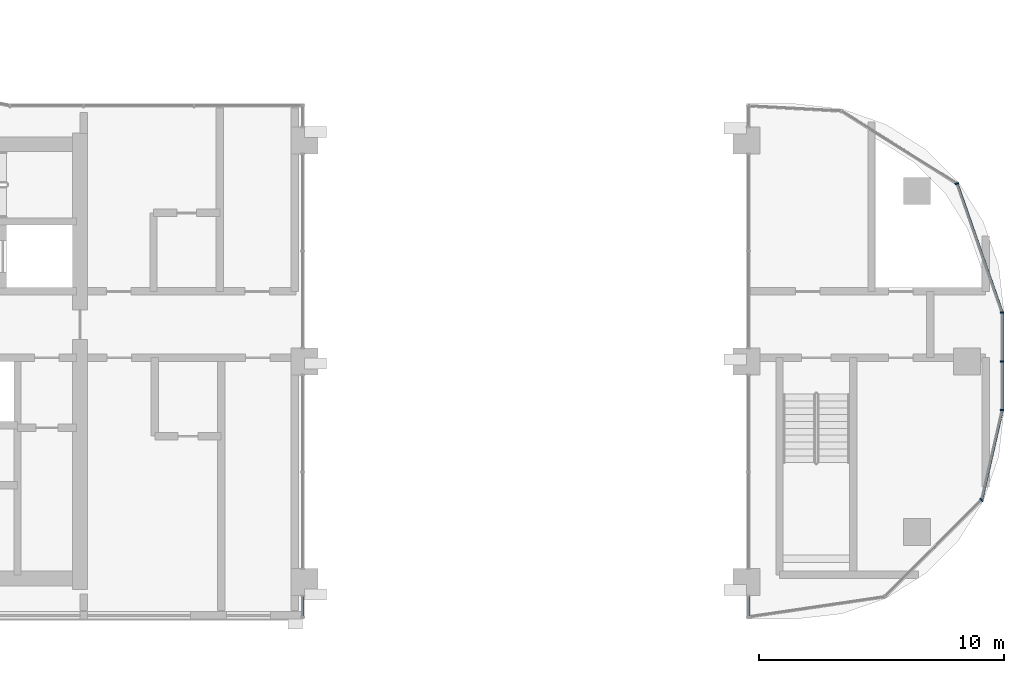
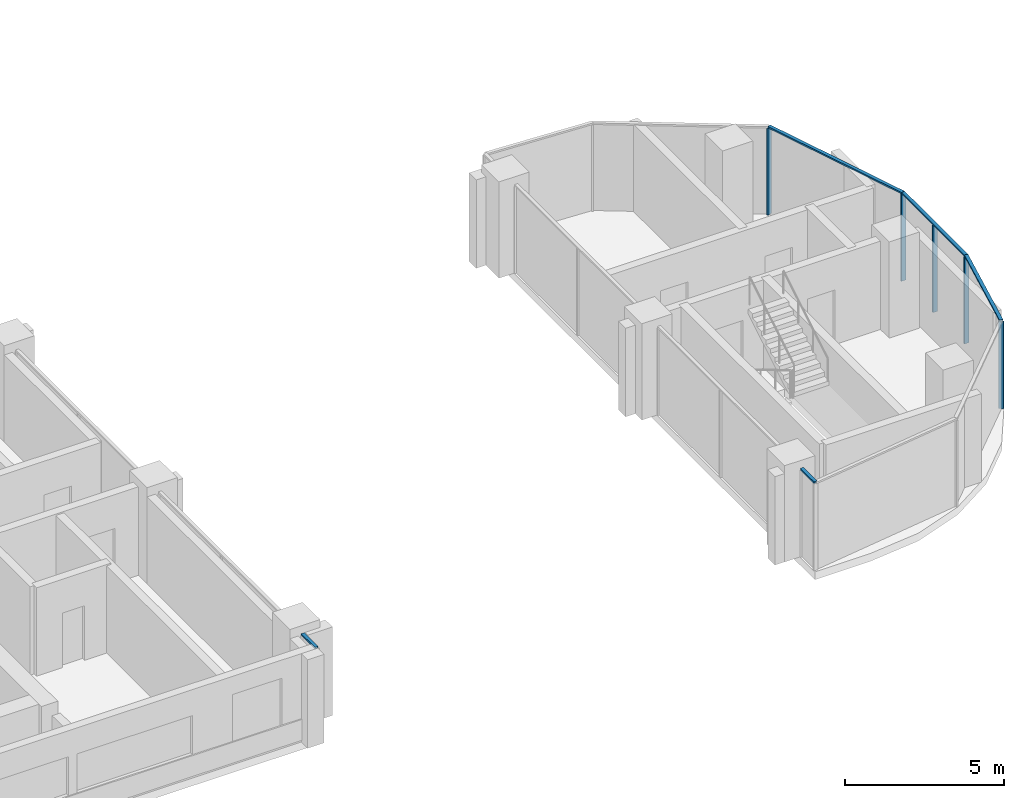
# One storey, part 6 of 23: 10 members, 5 elements without a shape of their own.
"""IFC4 building model written with IfcOpenShell, lengths in metres."""

import ifcopenshell
import ifcopenshell.guid

model = None  # the IFC model being written
_history = None  # IfcOwnerHistory: only IFC2X3 demands one
_inside = {}  # id of a spatial element -> (the spatial element, [elements in it])
_under = {}  # id of a project, library or spatial element -> (it, [spatial elements below it])
_declared = {}  # id of a project -> (the project, [libraries it declares])
_typed = {}  # id of a type object -> (the type object, [elements of that type])
_made_of = {}  # id of a material, layer set ... -> (it, [elements and type objects made of it])


def new_model(schema):
    """Start an empty IFC model of exactly this schema.

    Asked for "IFC4X3", IfcOpenShell would pick the latest addendum, in which some entities
    have other attributes; the version numbers below select the first issue.
    IFC2X3 requires an IfcOwnerHistory on every rooted entity: one is made here for all.
    """
    global model, _history
    if schema == "IFC4X3":
        model = ifcopenshell.file(schema_version=(4, 3, 0, 0))
    else:
        model = ifcopenshell.file(schema=schema)
    _inside.clear()
    _under.clear()
    _declared.clear()
    _typed.clear()
    _made_of.clear()
    _history = None
    if model.schema == "IFC2X3":
        org = make("IfcOrganization", Name="unknown")
        user = make(
            "IfcPersonAndOrganization",
            ThePerson=make("IfcPerson", FamilyName="unknown"),
            TheOrganization=org,
        )
        app = make(
            "IfcApplication",
            ApplicationDeveloper=org,
            Version="unknown",
            ApplicationFullName="unknown",
            ApplicationIdentifier="unknown",
        )
        _history = make(
            "IfcOwnerHistory",
            OwningUser=user,
            OwningApplication=app,
            ChangeAction="ADDED",
            CreationDate=0,
        )
    return model


def make(cls, **values):
    """One entity of the class cls with the attributes given. An attribute that is None is left unset."""
    return model.create_entity(
        cls, **{name: value for name, value in values.items() if value is not None}
    )


def rooted(cls, **values):
    """An entity with a GlobalId (a new one), such as an element, a storey or a relation."""
    return make(cls, GlobalId=ifcopenshell.guid.new(), OwnerHistory=_history, **values)


def si_unit(unit_type, name, prefix=None):
    """IfcSIUnit, for example si_unit("LENGTHUNIT", "METRE", prefix="MILLI")."""
    return make("IfcSIUnit", UnitType=unit_type, Prefix=prefix, Name=name)


def assignment(units):
    """IfcUnitAssignment: the units of a project."""
    return None if units is None else make("IfcUnitAssignment", Units=units)


def point(xyz):
    """IfcCartesianPoint."""
    return None if xyz is None else make("IfcCartesianPoint", Coordinates=xyz)


def direction(xyz):
    """IfcDirection."""
    return None if xyz is None else make("IfcDirection", DirectionRatios=xyz)


def frame(location, z_axis=None, x_axis=None):
    """IfcAxis2Placement3D, a coordinate frame: its origin and axes. An axis left out is left unset."""
    return make(
        "IfcAxis2Placement3D",
        Location=point(location),
        Axis=direction(z_axis),
        RefDirection=direction(x_axis),
    )


def frame_2d(location, x_axis=None):
    """IfcAxis2Placement2D, a coordinate frame in the plane: its origin and x axis."""
    return make(
        "IfcAxis2Placement2D", Location=point(location), RefDirection=direction(x_axis)
    )


def origin():
    """The frame at (0, 0, 0) with its axes left unset."""
    return frame((0.0, 0.0, 0.0))


def origin_2d():
    """The frame at (0, 0) in the plane with its x axis left unset."""
    return frame_2d((0.0, 0.0))


def place(relative_to, where):
    """IfcLocalPlacement: puts the frame where relative to a parent placement (None: the world)."""
    return make(
        "IfcLocalPlacement", PlacementRelTo=relative_to, RelativePlacement=where
    )


def context(
    kind, dimensions, precision=None, world=None, true_north=None, identifier=None
):
    """IfcGeometricRepresentationContext, for example the 3D "Model" context."""
    return make(
        "IfcGeometricRepresentationContext",
        ContextIdentifier=identifier,
        ContextType=kind,
        CoordinateSpaceDimension=dimensions,
        Precision=precision,
        WorldCoordinateSystem=world,
        TrueNorth=true_north,
    )


def subcontext(parent, identifier, kind, view, scale=None):
    """IfcGeometricRepresentationSubContext, for example "Body" below "Model"."""
    return make(
        "IfcGeometricRepresentationSubContext",
        ContextIdentifier=identifier,
        ContextType=kind,
        ParentContext=parent,
        TargetScale=scale,
        TargetView=view,
    )


def project(units=None, contexts=None):
    """IfcProject with its units and contexts."""
    return rooted(
        "IfcProject",
        Name="project",
        RepresentationContexts=contexts,
        UnitsInContext=assignment(units),
    )


def spatial(cls, under=None, at=None, **own):
    """A site, building, storey or space (cls), placed at a placement, below another one or the project."""
    s = rooted(cls, ObjectPlacement=at, **own)
    if under is not None:
        _under.setdefault(under.id(), (under, []))[1].append(s)
    return s


def profile(cls, at=None, kind="AREA", **sizes):
    """A parametric profile (cls). Its sizes go by their IFC names, for example OverallWidth=200.0."""
    return make(cls, ProfileType=kind, Position=at, **sizes)


def rectangle(**sizes):
    """IfcRectangleProfileDef."""
    return profile("IfcRectangleProfileDef", **sizes)


def extrude(swept, where, along, depth):
    """IfcExtrudedAreaSolid: the profile swept, set in the frame where, extruded along a direction by depth."""
    return make(
        "IfcExtrudedAreaSolid",
        SweptArea=swept,
        Position=where,
        ExtrudedDirection=direction(along),
        Depth=depth,
    )


def shape(context_of_items, identifier, shape_type, items):
    """IfcShapeRepresentation: the items that make up one representation, for example the "Body"."""
    return make(
        "IfcShapeRepresentation",
        ContextOfItems=context_of_items,
        RepresentationIdentifier=identifier,
        RepresentationType=shape_type,
        Items=items,
    )


def material(Name=None, Category=None):
    """IfcMaterial."""
    return make("IfcMaterial", Name=Name, Category=Category)


def material_profile(
    of_material, cross_section, Name=None, Category=None, Priority=None
):
    """IfcMaterialProfile: a cross section and its material."""
    return make(
        "IfcMaterialProfile",
        Name=Name,
        Material=of_material,
        Profile=cross_section,
        Priority=Priority,
        Category=Category,
    )


def profile_set(profiles, Name=None, composite=None):
    """IfcMaterialProfileSet."""
    return make(
        "IfcMaterialProfileSet",
        Name=Name,
        MaterialProfiles=profiles,
        CompositeProfile=composite,
    )


def made_of(thing, what):
    """Note that an element or type object is made of a material, layer set ...; save() writes the relation."""
    if what is not None:
        _made_of.setdefault(what.id(), (what, []))[1].append(thing)
    return thing


def type_object(cls, material=None, **own):
    """A type object (cls), such as IfcWallType, which elements share."""
    return made_of(rooted(cls, **own), material)


def element(
    cls,
    number,
    at=None,
    inside=None,
    cuts=None,
    type_object=None,
    material=None,
    context=None,
    identifier="Body",
    shape_type=None,
    held_by="IfcProductDefinitionShape",
    body=None,
    shapes=None,
    **own,
):
    """One element of the class cls, such as IfcWall. Its Tag is "e" and its number.

    at: its placement. inside: the storey or other place that contains it. cuts: it is an
    opening in that element (IfcRelVoidsElement). A single representation is given by context,
    identifier, shape_type and body (its items); several are given by shapes. held_by: the class
    of the entity that holds the representations. save() writes the other relations.
    """
    e = rooted(cls, Tag="e%d" % number, ObjectPlacement=at, **own)
    if body is not None:
        shapes = [shape(context, identifier, shape_type, body)]
    if shapes is not None:
        e.Representation = make(held_by, Representations=shapes)
    if inside is not None:
        _inside.setdefault(inside.id(), (inside, []))[1].append(e)
    if cuts is not None:
        rooted(
            "IfcRelVoidsElement", RelatingBuildingElement=cuts, RelatedOpeningElement=e
        )
    if type_object is not None:
        _typed.setdefault(type_object.id(), (type_object, []))[1].append(e)
    return made_of(e, material)


def aggregate(whole, parts):
    """IfcRelAggregates: a whole, such as a stair, and the parts it consists of."""
    return rooted("IfcRelAggregates", RelatingObject=whole, RelatedObjects=parts)


def save(model, path):
    """Write the relations noted so far, then the file.

    IfcRelAggregates (storeys below a building ...), IfcRelContainedInSpatialStructure (elements
    in a storey), IfcRelDefinesByType, IfcRelAssociatesMaterial and IfcRelDeclares: one each for
    every whole, place, type object, material and project.
    """
    for whole, parts in _under.values():
        aggregate(whole, parts)
    for where, things in _inside.values():
        rooted(
            "IfcRelContainedInSpatialStructure",
            RelatedElements=things,
            RelatingStructure=where,
        )
    for kind, things in _typed.values():
        rooted("IfcRelDefinesByType", RelatedObjects=things, RelatingType=kind)
    for what, things in _made_of.values():
        rooted("IfcRelAssociatesMaterial", RelatedObjects=things, RelatingMaterial=what)
    for by, libraries in _declared.values():
        rooted("IfcRelDeclares", RelatingContext=by, RelatedDefinitions=libraries)
    model.write(path)


model = new_model("IFC4")

# Units and contexts
model_context = context("Model", 3, precision=1e-05, world=origin(), true_north=direction((0.0, 1.0)))
body_context = subcontext(model_context, "Body", "Model", "MODEL_VIEW")
ifc_project = project(units=[si_unit("LENGTHUNIT", "METRE"), si_unit("AREAUNIT", "SQUARE_METRE"), si_unit("VOLUMEUNIT", "CUBIC_METRE"), si_unit("PLANEANGLEUNIT", "RADIAN"), si_unit("MASSUNIT", "GRAM", prefix="KILO")], contexts=[model_context])

# Site, building, storey
site_placement = place(None, origin())
site = spatial("IfcSite", under=ifc_project, at=site_placement, CompositionType="ELEMENT")
building_placement = place(site_placement, origin())
building = spatial("IfcBuilding", under=site, at=building_placement, Name="Ogive Portal Towers", CompositionType="ELEMENT")
storey_placement = place(building_placement, frame((0.0, 0.0, 149.60009765625)))
storey = spatial("IfcBuildingStorey", under=building, at=storey_placement, Name="L36", CompositionType="ELEMENT", Elevation=149.60009765625)

# Curtain wall, members
ifc_material_1 = material(Name="Glass, clear low-iron insulated glazing", Category="glass")
curtain_wall_type_1 = type_object("IfcCurtainWallType", Name="CW FRONT RIBBON 4500", PredefinedType="NOTDEFINED", material=ifc_material_1)
curtain_wall_1_placement = place(storey_placement, origin())
curtain_wall_1 = element("IfcCurtainWall", 1, at=curtain_wall_1_placement, inside=storey, type_object=curtain_wall_type_1, Name="A:L36:f26:cw0", PredefinedType="NOTDEFINED")
ifc_material_2 = material(Name="Aluminium 6063 anodised", Category="aluminium")
ifc_material_profile_1 = material_profile(ifc_material_2, rectangle(XDim=0.159912109375, YDim=0.06005859375, at=origin_2d()), Name="AL 60x160")
ifc_profile_set_1 = profile_set([ifc_material_profile_1], Name="Aluminium 6063 anodised")
member_type_1 = type_object("IfcMemberType", Name="CW MULLION 60x160", PredefinedType="MULLION", material=ifc_profile_set_1)
member_1_placement = place(storey_placement, frame((95.919921875, 28.509033203125, 0.0), z_axis=(0.0, 0.0, 1.0), x_axis=(-1.0, 0.0, 0.0)))
member_1 = element("IfcMember", 2, at=member_1_placement, type_object=member_type_1, Name="mullion", PredefinedType="MULLION", context=body_context, shape_type="SweptSolid", body=[
    extrude(rectangle(XDim=0.159912109375, YDim=0.06005859375, at=origin_2d()), origin(), (0.0, 0.0, 1.0), 3.33984375),
])
member_2_placement = place(storey_placement, frame((95.919921875, 30.5, 0.0), z_axis=(0.0, 0.0, 1.0), x_axis=(-1.0, 0.0, 0.0)))
member_2 = element("IfcMember", 3, at=member_2_placement, type_object=member_type_1, Name="mullion", PredefinedType="MULLION", context=body_context, shape_type="SweptSolid", body=[
    extrude(rectangle(XDim=0.159912109375, YDim=0.06005859375, at=origin_2d()), origin(), (0.0, 0.0, 1.0), 3.33984375),
])
member_3_placement = place(storey_placement, frame((95.919921875, 32.486328125, 0.0), z_axis=(0.0, 0.0, 1.0), x_axis=(-1.0, 0.0, 0.0)))
member_3 = element("IfcMember", 4, at=member_3_placement, type_object=member_type_1, Name="mullion", PredefinedType="MULLION", context=body_context, shape_type="SweptSolid", body=[
    extrude(rectangle(XDim=0.159912109375, YDim=0.06005859375, at=origin_2d()), origin(), (0.0, 0.0, 1.0), 3.33984375),
])

# Curtain wall, member
curtain_wall_2_placement = place(storey_placement, origin())
curtain_wall_2 = element("IfcCurtainWall", 5, at=curtain_wall_2_placement, inside=storey, type_object=curtain_wall_type_1, Name="A:L36:f23:cwa", PredefinedType="NOTDEFINED")
member_4_placement = place(storey_placement, frame((95.08544921875, 24.852294921875, 0.0), z_axis=(0.0, 0.0, 1.0), x_axis=(-0.707106781187, 0.707106781187, 0.0)))
member_4 = element("IfcMember", 6, at=member_4_placement, type_object=member_type_1, Name="mullion", PredefinedType="MULLION", context=body_context, shape_type="SweptSolid", body=[
    extrude(rectangle(XDim=0.159912109375, YDim=0.06005859375, at=origin_2d()), origin(), (0.0, 0.0, 1.0), 3.33984375),
])

curtain_wall_3_placement = place(storey_placement, origin())
curtain_wall_3 = element("IfcCurtainWall", 7, at=curtain_wall_3_placement, inside=storey, type_object=curtain_wall_type_1, Name="A:L36:f27:cwa", PredefinedType="NOTDEFINED")
member_5_placement = place(storey_placement, frame((94.079345703125, 37.746826171875, 0.0), z_axis=(0.0, 0.0, 1.0), x_axis=(-0.943883330307, -0.33027906196, 0.0)))
member_5 = element("IfcMember", 8, at=member_5_placement, type_object=member_type_1, Name="mullion", PredefinedType="MULLION", context=body_context, shape_type="SweptSolid", body=[
    extrude(rectangle(XDim=0.159912109375, YDim=0.06005859375, at=origin_2d()), origin(), (0.0, 0.0, 1.0), 3.33984375),
])

curtain_wall_type_2 = type_object("IfcCurtainWallType", Name="CW PORTAL REVEAL", PredefinedType="NOTDEFINED", material=ifc_material_1)
curtain_wall_4_placement = place(storey_placement, origin())
curtain_wall_4 = element("IfcCurtainWall", 9, at=curtain_wall_4_placement, inside=storey, type_object=curtain_wall_type_2, Name="A:L36:f07:cw0~0", PredefinedType="NOTDEFINED")
ifc_material_profile_2 = material_profile(ifc_material_2, rectangle(XDim=0.1201171875, YDim=0.06005859375, at=origin_2d()), Name="AL 120x60")
ifc_profile_set_2 = profile_set([ifc_material_profile_2], Name="Aluminium 6063 anodised")
member_type_2 = type_object("IfcMemberType", Name="CW TRANSOM 60x120", PredefinedType="USERDEFINED", material=ifc_profile_set_2)
member_6_placement = place(storey_placement, frame((67.419921875, 20.080078125, 3.369873046875), z_axis=(0.0, 1.0, 0.0), x_axis=(-1.0, 0.0, 0.0)))
member_6 = element("IfcMember", 10, at=member_6_placement, type_object=member_type_2, Name="transom", ObjectType="TRANSOM", PredefinedType="USERDEFINED", context=body_context, shape_type="SweptSolid", body=[
    extrude(rectangle(XDim=0.1201171875, YDim=0.06005859375, at=origin_2d()), origin(), (0.0, 0.0, 1.0), 0.869873046875),
])
aggregate(curtain_wall_4, [member_6])

curtain_wall_5_placement = place(storey_placement, origin())
curtain_wall_5 = element("IfcCurtainWall", 11, at=curtain_wall_5_placement, inside=storey, type_object=curtain_wall_type_2, Name="A:L36:f22:cw0~3", PredefinedType="NOTDEFINED")
member_7_placement = place(storey_placement, frame((85.580078125, 20.949951171875, 3.369873046875), z_axis=(0.0, -1.0, 0.0), x_axis=(1.0, 0.0, 0.0)))
member_7 = element("IfcMember", 12, at=member_7_placement, type_object=member_type_2, Name="transom", ObjectType="TRANSOM", PredefinedType="USERDEFINED", context=body_context, shape_type="SweptSolid", body=[
    extrude(rectangle(XDim=0.1201171875, YDim=0.06005859375, at=origin_2d()), origin(), (0.0, 0.0, 1.0), 0.857177734375),
])
aggregate(curtain_wall_5, [member_7])

# Member
member_8_placement = place(storey_placement, frame((95.919921875, 28.509033203125, 3.369873046875), z_axis=(0.0, 1.0, 0.0), x_axis=(-1.0, 0.0, 0.0)))
member_8 = element("IfcMember", 13, at=member_8_placement, type_object=member_type_2, Name="transom", ObjectType="TRANSOM", PredefinedType="USERDEFINED", context=body_context, shape_type="SweptSolid", body=[
    extrude(rectangle(XDim=0.1201171875, YDim=0.06005859375, at=origin_2d()), origin(), (0.0, 0.0, 1.0), 3.977294921875),
])

aggregate(curtain_wall_1, [member_8, member_1, member_2, member_3])

member_9_placement = place(storey_placement, frame((95.08544921875, 24.852294921875, 3.369873046875), z_axis=(0.222481909813, 0.974936818366, 0.0), x_axis=(-0.974936818366, 0.222481909813, 0.0)))
member_9 = element("IfcMember", 14, at=member_9_placement, type_object=member_type_2, Name="transom", ObjectType="TRANSOM", PredefinedType="USERDEFINED", context=body_context, shape_type="SweptSolid", body=[
    extrude(rectangle(XDim=0.1201171875, YDim=0.06005859375, at=origin_2d()), origin(), (0.0, 0.0, 1.0), 3.750732421875),
])

aggregate(curtain_wall_2, [member_9, member_4])

member_10_placement = place(storey_placement, frame((95.919921875, 32.486328125, 3.369873046875), z_axis=(-0.33025481043, 0.943891815934, 0.0), x_axis=(-0.943891815934, -0.33025481043, 0.0)))
member_10 = element("IfcMember", 15, at=member_10_placement, type_object=member_type_2, Name="transom", ObjectType="TRANSOM", PredefinedType="USERDEFINED", context=body_context, shape_type="SweptSolid", body=[
    extrude(rectangle(XDim=0.1201171875, YDim=0.06005859375, at=origin_2d()), origin(), (0.0, 0.0, 1.0), 5.5732421875),
])

aggregate(curtain_wall_3, [member_10, member_5])

save(model, "model.ifc")
